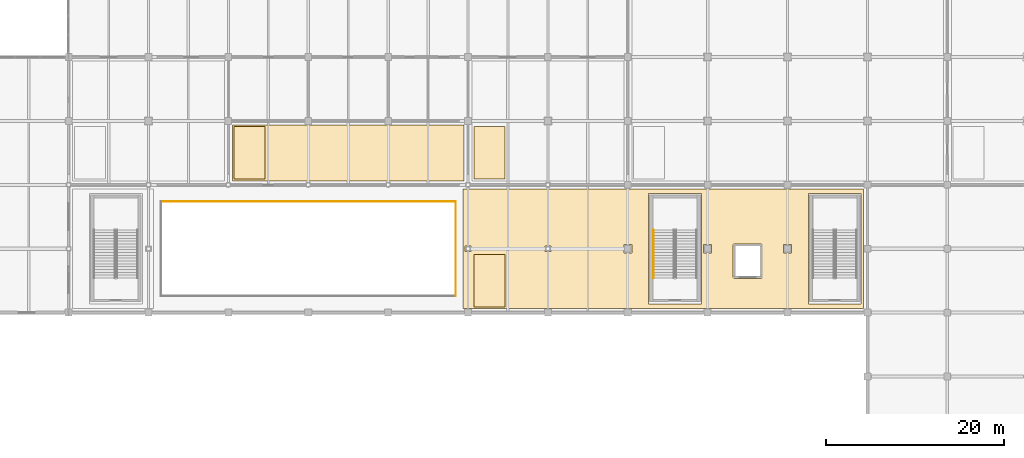
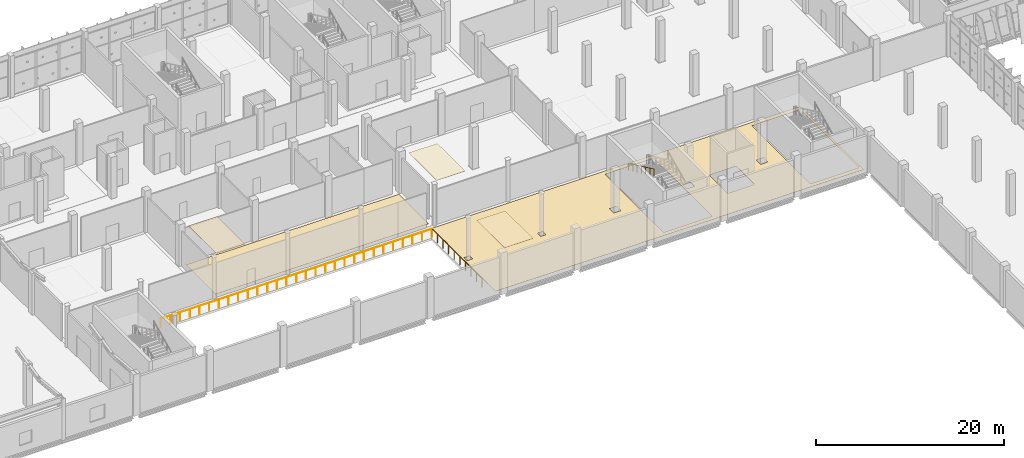
# One storey, part 162 of 189: 5 coverings, 3 railings.
"""IFC4 building model written with IfcOpenShell, lengths in metres."""

from ifc_helpers import new_model, si_unit, direction, frame, origin, origin_2d, place, context, subcontext, project, spatial, polyline, circle, outline, extrude, material, layer, layer_set, type_object, element, save


model = new_model("IFC4")

# Units and contexts
model_context = context("Model", 3, precision=1e-05, world=origin(), true_north=direction((0.0, 1.0)))
body_context = subcontext(model_context, "Body", "Model", "MODEL_VIEW")
ifc_project = project(units=[si_unit("LENGTHUNIT", "METRE"), si_unit("AREAUNIT", "SQUARE_METRE"), si_unit("VOLUMEUNIT", "CUBIC_METRE"), si_unit("PLANEANGLEUNIT", "RADIAN"), si_unit("MASSUNIT", "GRAM", prefix="KILO")], contexts=[model_context])

# Site, building, storey
site_placement = place(None, origin())
site = spatial("IfcSite", under=ifc_project, at=site_placement, CompositionType="ELEMENT")
building_placement = place(site_placement, origin())
building = spatial("IfcBuilding", under=site, at=building_placement, Name="Celestram Park Convention Centre", CompositionType="ELEMENT")
storey_placement = place(building_placement, frame((0.0, 0.0, 5.39990234375)))
storey = spatial("IfcBuildingStorey", under=building, at=storey_placement, Name="L01", CompositionType="ELEMENT", Elevation=5.39990234375)

# Coverings
ifc_material_1 = material(Name="Perforated Acoustic Mineral-Fibre Baffle Ceiling", Category="gypsum")
ifc_layer_1 = layer(ifc_material_1, 0.0400390625)
ifc_layer_set_1 = layer_set([ifc_layer_1], Name="Perforated Acoustic Mineral-Fibre Baffle Ceiling")
covering_type_1 = type_object("IfcCoveringType", Name="ARC-COV-CLG040", PredefinedType="CEILING", material=ifc_layer_set_1)
covering_1_placement = place(storey_placement, frame((0.0, 0.0, 5.080078125)))
element("IfcCovering", 1, at=covering_1_placement, inside=storey, type_object=covering_type_1, Name="Winter-Garden Concourse East acoustic baffle ceiling", PredefinedType="CEILING", context=body_context, shape_type="SweptSolid", body=[
    extrude(outline(polyline([(81.64990234375, 108.64990234375), (85.14990234375, 108.64990234375), (85.14990234375, 114.550048828125), (81.64990234375, 114.550048828125), (81.64990234375, 108.64990234375)])), origin(), (0.0, 0.0, 1.0), 0.0400390625),
])
covering_2_placement = place(storey_placement, frame((0.0, 0.0, 5.080078125)))
element("IfcCovering", 2, at=covering_2_placement, inside=storey, type_object=covering_type_1, Name="Concourse Delegate Lounge L01 acoustic baffle ceiling", PredefinedType="CEILING", context=body_context, shape_type="SweptSolid", body=[
    extrude(outline(polyline([(54.64990234375, 123.050048828125), (58.14990234375, 123.050048828125), (58.14990234375, 128.949951171875), (54.64990234375, 128.949951171875), (54.64990234375, 123.050048828125)])), origin(), (0.0, 0.0, 1.0), 0.0400390625),
])
covering_3_placement = place(storey_placement, frame((0.0, 0.0, 5.080078125)))
element("IfcCovering", 3, at=covering_3_placement, inside=storey, type_object=covering_type_1, Name="Breakout Seminar Room 102 acoustic baffle ceiling", PredefinedType="CEILING", context=body_context, shape_type="SweptSolid", body=[
    extrude(outline(polyline([(81.64990234375, 123.050048828125), (85.14990234375, 123.050048828125), (85.14990234375, 128.949951171875), (81.64990234375, 128.949951171875), (81.64990234375, 123.050048828125)])), origin(), (0.0, 0.0, 1.0), 0.0400390625),
])
ifc_material_2 = material(Name="Polished Lakefront Aggregate Terrazzo Flooring", Category="concrete")
ifc_layer_2 = layer(ifc_material_2, 0.02001953125)
ifc_layer_set_2 = layer_set([ifc_layer_2], Name="Polished Lakefront Aggregate Terrazzo Flooring")
covering_type_2 = type_object("IfcCoveringType", Name="ARC-COV-FLR020", PredefinedType="FLOORING", material=ifc_layer_set_2)
covering_4_placement = place(storey_placement, origin())
element("IfcCovering", 4, at=covering_4_placement, inside=storey, type_object=covering_type_2, Name="Winter-Garden Concourse East terrazzo flooring", PredefinedType="FLOORING", context=body_context, shape_type="SweptSolid", body=[
    extrude(outline(polyline([(98.547119140625, 121.949951171875), (98.547119140625, 121.947021484375), (99.452880859375, 121.947021484375), (99.452880859375, 121.949951171875), (107.547119140625, 121.949951171875), (107.547119140625, 121.947021484375), (108.452880859375, 121.947021484375), (108.452880859375, 121.949951171875), (116.547119140625, 121.949951171875), (116.547119140625, 121.947021484375), (117.452880859375, 121.947021484375), (117.452880859375, 121.949951171875), (125.547119140625, 121.949951171875), (125.547119140625, 121.947021484375), (125.550048828125, 121.947021484375), (125.550048828125, 115.653076171875), (125.547119140625, 115.653076171875), (125.547119140625, 114.7470703125), (125.550048828125, 114.7470703125), (125.550048828125, 108.47802734375), (125.52197265625, 108.47802734375), (125.52197265625, 108.449951171875), (117.47802734375, 108.449951171875), (117.47802734375, 108.47802734375), (116.52197265625, 108.47802734375), (116.52197265625, 108.449951171875), (108.47802734375, 108.449951171875), (108.47802734375, 108.47802734375), (107.52197265625, 108.47802734375), (107.52197265625, 108.449951171875), (99.47802734375, 108.449951171875), (99.47802734375, 108.47802734375), (98.52197265625, 108.47802734375), (98.52197265625, 108.449951171875), (90.47802734375, 108.449951171875), (90.47802734375, 108.47802734375), (89.52197265625, 108.47802734375), (89.52197265625, 108.449951171875), (81.47802734375, 108.449951171875), (81.47802734375, 108.47802734375), (80.52197265625, 108.47802734375), (80.52197265625, 108.449951171875), (80.449951171875, 108.449951171875), (80.449951171875, 121.949951171875), (98.547119140625, 121.949951171875)]), holes=[polyline([(110.858642578125, 111.991943359375), (110.865234375, 111.973388671875), (110.87353515625, 111.955810546875), (110.8837890625, 111.93896484375), (110.8955078125, 111.923095703125), (110.90869140625, 111.90869140625), (110.923095703125, 111.8955078125), (110.93896484375, 111.8837890625), (110.955810546875, 111.87353515625), (110.973388671875, 111.865234375), (110.991943359375, 111.858642578125), (111.010986328125, 111.853759765625), (111.030517578125, 111.85107421875), (111.050048828125, 111.85009765625), (113.949951171875, 111.85009765625), (113.969482421875, 111.85107421875), (113.989013671875, 111.853759765625), (114.008056640625, 111.858642578125), (114.026611328125, 111.865234375), (114.044189453125, 111.87353515625), (114.06103515625, 111.8837890625), (114.076904296875, 111.8955078125), (114.09130859375, 111.90869140625), (114.1044921875, 111.923095703125), (114.1162109375, 111.93896484375), (114.12646484375, 111.955810546875), (114.134765625, 111.973388671875), (114.141357421875, 111.991943359375), (114.146240234375, 112.010986328125), (114.14892578125, 112.030517578125), (114.14990234375, 112.050048828125), (114.14990234375, 115.550048828125), (114.14892578125, 115.569580078125), (114.146240234375, 115.589111328125), (114.141357421875, 115.608154296875), (114.134765625, 115.62646484375), (114.12646484375, 115.644287109375), (114.1162109375, 115.6611328125), (114.1044921875, 115.677001953125), (114.09130859375, 115.69140625), (114.076904296875, 115.70458984375), (114.06103515625, 115.71630859375), (114.044189453125, 115.726318359375), (114.026611328125, 115.73486328125), (114.008056640625, 115.741455078125), (113.989013671875, 115.74609375), (113.969482421875, 115.7490234375), (113.949951171875, 115.75), (111.050048828125, 115.75), (111.030517578125, 115.7490234375), (111.010986328125, 115.74609375), (110.991943359375, 115.741455078125), (110.973388671875, 115.73486328125), (110.955810546875, 115.726318359375), (110.93896484375, 115.71630859375), (110.923095703125, 115.70458984375), (110.90869140625, 115.69140625), (110.8955078125, 115.677001953125), (110.8837890625, 115.6611328125), (110.87353515625, 115.644287109375), (110.865234375, 115.62646484375), (110.858642578125, 115.608154296875), (110.853759765625, 115.589111328125), (110.85107421875, 115.569580078125), (110.85009765625, 115.550048828125), (110.85009765625, 112.050048828125), (110.85107421875, 112.030517578125), (110.853759765625, 112.010986328125), (110.858642578125, 111.991943359375)]), polyline([(107.300048828125, 121.39990234375), (101.340087890625, 121.39990234375), (101.340087890625, 109.0), (107.300048828125, 109.0), (107.300048828125, 121.39990234375)]), polyline([(125.300048828125, 121.39990234375), (119.340087890625, 121.39990234375), (119.340087890625, 109.0), (125.300048828125, 109.0), (125.300048828125, 121.39990234375)]), polyline([(81.330078125, 115.530029296875), (80.669921875, 115.530029296875), (80.669921875, 114.8701171875), (81.330078125, 114.8701171875), (81.330078125, 115.530029296875)]), polyline([(108.452880859375, 115.653076171875), (107.547119140625, 115.653076171875), (107.547119140625, 114.7470703125), (108.452880859375, 114.7470703125), (108.452880859375, 115.653076171875)]), polyline([(99.452880859375, 115.653076171875), (98.547119140625, 115.653076171875), (98.547119140625, 114.7470703125), (99.452880859375, 114.7470703125), (99.452880859375, 115.653076171875)]), polyline([(117.452880859375, 115.653076171875), (116.547119140625, 115.653076171875), (116.547119140625, 114.7470703125), (117.452880859375, 114.7470703125), (117.452880859375, 115.653076171875)]), polyline([(90.330078125, 115.530029296875), (89.669921875, 115.530029296875), (89.669921875, 114.8701171875), (90.330078125, 114.8701171875), (90.330078125, 115.530029296875)])]), origin(), (0.0, 0.0, 1.0), 0.02001953125),
])
covering_5_placement = place(storey_placement, origin())
element("IfcCovering", 5, at=covering_5_placement, inside=storey, type_object=covering_type_2, Name="Concourse Delegate Lounge L01 terrazzo flooring", PredefinedType="FLOORING", context=body_context, shape_type="SweptSolid", body=[
    extrude(outline(polyline([(62.547119140625, 129.14990234375), (62.547119140625, 129.14697265625), (63.452880859375, 129.14697265625), (63.452880859375, 129.14990234375), (71.547119140625, 129.14990234375), (71.547119140625, 129.14697265625), (72.452880859375, 129.14697265625), (72.452880859375, 129.14990234375), (80.547119140625, 129.14990234375), (80.547119140625, 129.14697265625), (80.550048828125, 129.14697265625), (80.550048828125, 122.85009765625), (54.449951171875, 122.85009765625), (54.449951171875, 129.14697265625), (54.452880859375, 129.14697265625), (54.452880859375, 129.14990234375), (62.547119140625, 129.14990234375)])), origin(), (0.0, 0.0, 1.0), 0.02001953125),
])

# Railings
ifc_material_3 = material(Name="Stainless Steel AISI 316L & Laminated Glass", Category="steel")
ifc_layer_3 = layer(ifc_material_3, 0.06005859375)
ifc_layer_set_3 = layer_set([ifc_layer_3], Name="Stainless Steel AISI 316L & Laminated Glass")
railing_type_1 = type_object("IfcRailingType", Name="ARC-RL-GRD1120", PredefinedType="GUARDRAIL", material=ifc_layer_set_3)
railing_1_placement = place(storey_placement, frame((79.6201171875, 109.8798828125, 0.0)))
element("IfcRailing", 6, at=railing_1_placement, inside=storey, type_object=railing_type_1, Name="Atrium/balcony balustrade RL-L01-VB020", PredefinedType="GUARDRAIL", context=body_context, shape_type="SweptSolid", body=[
    extrude(circle(Radius=0.02392578125, at=origin_2d()), frame((0.0, 0.0, 1.09619140625), z_axis=(0.0, 1.0, 0.0), x_axis=(-1.0, 0.0, 0.0)), (0.0, 0.0, 1.0), 10.64013671875),
    extrude(circle(Radius=0.02099609375, at=origin_2d()), origin(), (0.0, 0.0, 1.0), 1.072021484375),
    extrude(circle(Radius=0.02099609375, at=origin_2d()), frame((0.0, 1.18212890625, 0.0)), (0.0, 0.0, 1.0), 1.072021484375),
    extrude(circle(Radius=0.02099609375, at=origin_2d()), frame((0.0, 2.364501953125, 0.0)), (0.0, 0.0, 1.0), 1.072021484375),
    extrude(circle(Radius=0.02099609375, at=origin_2d()), frame((0.0, 3.546630859375, 0.0)), (0.0, 0.0, 1.0), 1.072021484375),
    extrude(circle(Radius=0.02099609375, at=origin_2d()), frame((0.0, 4.72900390625, 0.0)), (0.0, 0.0, 1.0), 1.072021484375),
    extrude(circle(Radius=0.02099609375, at=origin_2d()), frame((0.0, 5.9111328125, 0.0)), (0.0, 0.0, 1.0), 1.072021484375),
    extrude(circle(Radius=0.02099609375, at=origin_2d()), frame((0.0, 7.093505859375, 0.0)), (0.0, 0.0, 1.0), 1.072021484375),
    extrude(circle(Radius=0.02099609375, at=origin_2d()), frame((0.0, 8.275634765625, 0.0)), (0.0, 0.0, 1.0), 1.072021484375),
    extrude(circle(Radius=0.02099609375, at=origin_2d()), frame((0.0, 9.4580078125, 0.0)), (0.0, 0.0, 1.0), 1.072021484375),
    extrude(circle(Radius=0.02099609375, at=origin_2d()), frame((0.0, 10.64013671875, 0.0)), (0.0, 0.0, 1.0), 1.072021484375),
])
railing_2_placement = place(storey_placement, frame((79.6201171875, 120.52001953125, 0.0)))
element("IfcRailing", 7, at=railing_2_placement, inside=storey, type_object=railing_type_1, Name="Atrium/balcony balustrade RL-L01-VB021", PredefinedType="GUARDRAIL", context=body_context, shape_type="SweptSolid", body=[
    extrude(circle(Radius=0.02392578125, at=origin_2d()), frame((0.0, 0.0, 1.09619140625), z_axis=(-1.0, 0.0, 0.0), x_axis=(0.0, -1.0, 0.0)), (0.0, 0.0, 1.0), 33.240234375),
    extrude(circle(Radius=0.02099609375, at=origin_2d()), origin(), (0.0, 0.0, 1.0), 1.072021484375),
    extrude(circle(Radius=0.02099609375, at=origin_2d()), frame((-1.187255859375, 0.0, 0.0)), (0.0, 0.0, 1.0), 1.072021484375),
    extrude(circle(Radius=0.02099609375, at=origin_2d()), frame((-2.374267578125, 0.0, 0.0)), (0.0, 0.0, 1.0), 1.072021484375),
    extrude(circle(Radius=0.02099609375, at=origin_2d()), frame((-3.5615234375, 0.0, 0.0)), (0.0, 0.0, 1.0), 1.072021484375),
    extrude(circle(Radius=0.02099609375, at=origin_2d()), frame((-4.74853515625, 0.0, 0.0)), (0.0, 0.0, 1.0), 1.072021484375),
    extrude(circle(Radius=0.02099609375, at=origin_2d()), frame((-5.935791015625, 0.0, 0.0)), (0.0, 0.0, 1.0), 1.072021484375),
    extrude(circle(Radius=0.02099609375, at=origin_2d()), frame((-7.122802734375, 0.0, 0.0)), (0.0, 0.0, 1.0), 1.072021484375),
    extrude(circle(Radius=0.02099609375, at=origin_2d()), frame((-8.31005859375, 0.0, 0.0)), (0.0, 0.0, 1.0), 1.072021484375),
    extrude(circle(Radius=0.02099609375, at=origin_2d()), frame((-9.497314453125, 0.0, 0.0)), (0.0, 0.0, 1.0), 1.072021484375),
    extrude(circle(Radius=0.02099609375, at=origin_2d()), frame((-10.684326171875, 0.0, 0.0)), (0.0, 0.0, 1.0), 1.072021484375),
    extrude(circle(Radius=0.02099609375, at=origin_2d()), frame((-11.87158203125, 0.0, 0.0)), (0.0, 0.0, 1.0), 1.072021484375),
    extrude(circle(Radius=0.02099609375, at=origin_2d()), frame((-13.05859375, 0.0, 0.0)), (0.0, 0.0, 1.0), 1.072021484375),
    extrude(circle(Radius=0.02099609375, at=origin_2d()), frame((-14.245849609375, 0.0, 0.0)), (0.0, 0.0, 1.0), 1.072021484375),
    extrude(circle(Radius=0.02099609375, at=origin_2d()), frame((-15.432861328125, 0.0, 0.0)), (0.0, 0.0, 1.0), 1.072021484375),
    extrude(circle(Radius=0.02099609375, at=origin_2d()), frame((-16.6201171875, 0.0, 0.0)), (0.0, 0.0, 1.0), 1.072021484375),
    extrude(circle(Radius=0.02099609375, at=origin_2d()), frame((-17.807373046875, 0.0, 0.0)), (0.0, 0.0, 1.0), 1.072021484375),
    extrude(circle(Radius=0.02099609375, at=origin_2d()), frame((-18.994384765625, 0.0, 0.0)), (0.0, 0.0, 1.0), 1.072021484375),
    extrude(circle(Radius=0.02099609375, at=origin_2d()), frame((-20.181640625, 0.0, 0.0)), (0.0, 0.0, 1.0), 1.072021484375),
    extrude(circle(Radius=0.02099609375, at=origin_2d()), frame((-21.36865234375, 0.0, 0.0)), (0.0, 0.0, 1.0), 1.072021484375),
    extrude(circle(Radius=0.02099609375, at=origin_2d()), frame((-22.555908203125, 0.0, 0.0)), (0.0, 0.0, 1.0), 1.072021484375),
    extrude(circle(Radius=0.02099609375, at=origin_2d()), frame((-23.742919921875, 0.0, 0.0)), (0.0, 0.0, 1.0), 1.072021484375),
    extrude(circle(Radius=0.02099609375, at=origin_2d()), frame((-24.93017578125, 0.0, 0.0)), (0.0, 0.0, 1.0), 1.072021484375),
    extrude(circle(Radius=0.02099609375, at=origin_2d()), frame((-26.117431640625, 0.0, 0.0)), (0.0, 0.0, 1.0), 1.072021484375),
    extrude(circle(Radius=0.02099609375, at=origin_2d()), frame((-27.304443359375, 0.0, 0.0)), (0.0, 0.0, 1.0), 1.072021484375),
    extrude(circle(Radius=0.02099609375, at=origin_2d()), frame((-28.49169921875, 0.0, 0.0)), (0.0, 0.0, 1.0), 1.072021484375),
    extrude(circle(Radius=0.02099609375, at=origin_2d()), frame((-29.6787109375, 0.0, 0.0)), (0.0, 0.0, 1.0), 1.072021484375),
    extrude(circle(Radius=0.02099609375, at=origin_2d()), frame((-30.865966796875, 0.0, 0.0)), (0.0, 0.0, 1.0), 1.072021484375),
    extrude(circle(Radius=0.02099609375, at=origin_2d()), frame((-32.052978515625, 0.0, 0.0)), (0.0, 0.0, 1.0), 1.072021484375),
    extrude(circle(Radius=0.02099609375, at=origin_2d()), frame((-33.240234375, 0.0, 0.0)), (0.0, 0.0, 1.0), 1.072021484375),
])
ifc_material_4 = material(Name="Brushed Stainless Steel AISI 304", Category="steel")
ifc_layer_4 = layer(ifc_material_4, 0.048095703125)
ifc_layer_set_4 = layer_set([ifc_layer_4], Name="Brushed Stainless Steel AISI 304")
railing_type_2 = type_object("IfcRailingType", Name="ARC-RL-HND915", PredefinedType="HANDRAIL", material=ifc_layer_set_4)
railing_3_placement = place(storey_placement, frame((101.8759765625, 117.340087890625, 2.85009765625)))
element("IfcRailing", 8, at=railing_3_placement, inside=storey, type_object=railing_type_2, Name="L01 ST-03 stair handrail 2", PredefinedType="HANDRAIL", context=body_context, shape_type="SweptSolid", body=[
    extrude(circle(Radius=0.02392578125, at=origin_2d()), frame((0.0, 0.0, 0.8759765625), z_axis=(0.0, -0.905461375974, 0.424428670827), x_axis=(1.0, 0.0, 0.0)), (0.0, 0.0, 1.0), 6.00830078125),
    extrude(circle(Radius=0.02099609375, at=origin_2d()), origin(), (0.0, 0.0, 1.0), 0.851806640625),
    extrude(circle(Radius=0.02099609375, at=origin_2d()), frame((0.0, -0.90673828125, 0.425048828125)), (0.0, 0.0, 1.0), 0.851806640625),
    extrude(circle(Radius=0.02099609375, at=origin_2d()), frame((0.0, -1.8134765625, 0.85009765625)), (0.0, 0.0, 1.0), 0.851806640625),
    extrude(circle(Radius=0.02099609375, at=origin_2d()), frame((0.0, -2.72021484375, 1.27490234375)), (0.0, 0.0, 1.0), 0.851806640625),
    extrude(circle(Radius=0.02099609375, at=origin_2d()), frame((0.0, -3.626708984375, 1.699951171875)), (0.0, 0.0, 1.0), 0.851806640625),
    extrude(circle(Radius=0.02099609375, at=origin_2d()), frame((0.0, -4.533447265625, 2.125)), (0.0, 0.0, 1.0), 0.851806640625),
    extrude(circle(Radius=0.02099609375, at=origin_2d()), frame((0.0, -5.440185546875, 2.550048828125)), (0.0, 0.0, 1.0), 0.851806640625),
])

save(model, "model.ifc")
